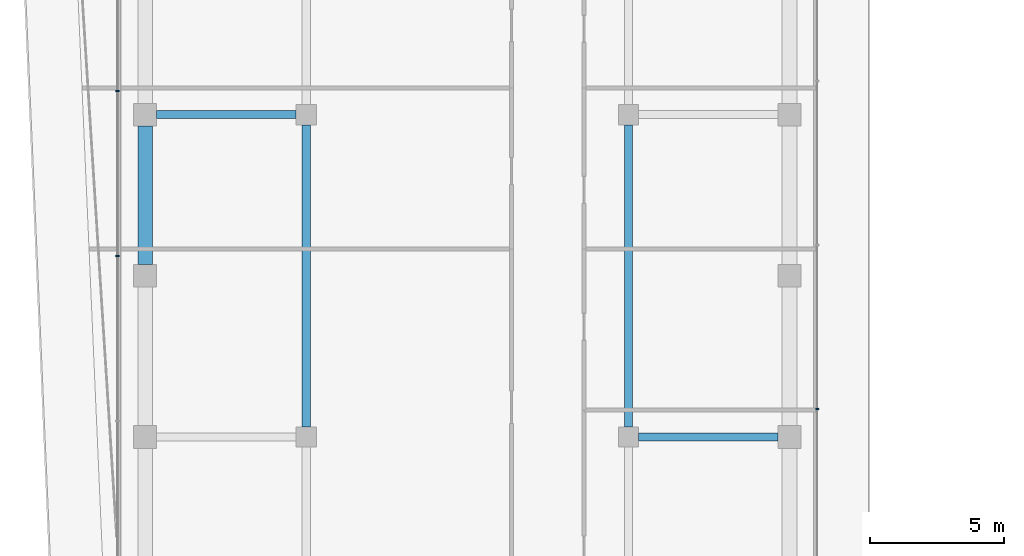
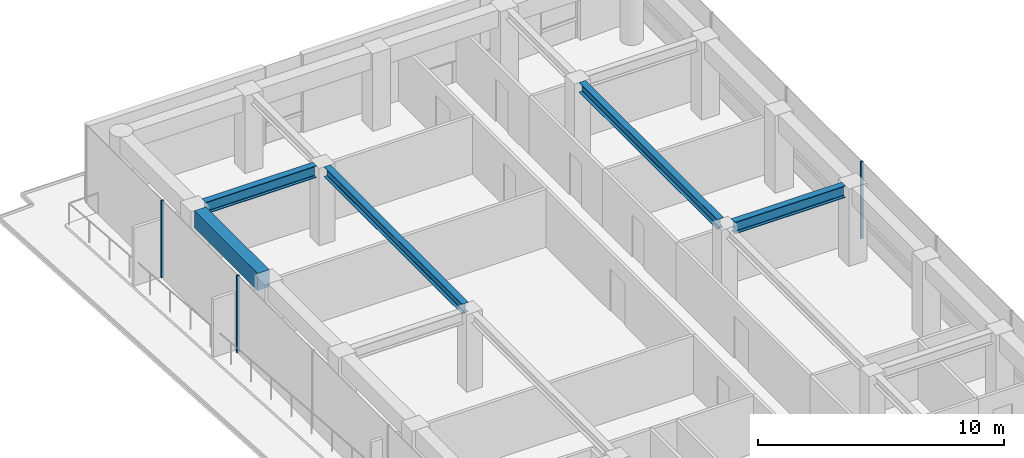
# One storey, part 13 of 21: 5 beams, 3 members, 2 elements without a shape of their own.
"""IFC4 building model written with IfcOpenShell, lengths in metres."""

from ifc_helpers import new_model, si_unit, direction, frame, origin, origin_2d, place, context, subcontext, project, spatial, rectangle, i_section, extrude, material, layer, layer_set, material_profile, profile_set, type_object, element, aggregate, save


model = new_model("IFC4")

# Units and contexts
model_context = context("Model", 3, precision=1e-05, world=origin(), true_north=direction((0.0, 1.0)))
body_context = subcontext(model_context, "Body", "Model", "MODEL_VIEW")
ifc_project = project(units=[si_unit("LENGTHUNIT", "METRE"), si_unit("AREAUNIT", "SQUARE_METRE"), si_unit("VOLUMEUNIT", "CUBIC_METRE"), si_unit("PLANEANGLEUNIT", "RADIAN"), si_unit("MASSUNIT", "GRAM", prefix="KILO")], contexts=[model_context])

# Site, building, storey
site_placement = place(None, origin())
site = spatial("IfcSite", under=ifc_project, at=site_placement, CompositionType="ELEMENT")
building_placement = place(site_placement, origin())
building = spatial("IfcBuilding", under=site, at=building_placement, Name="Welwitschia Terrace Campus", CompositionType="ELEMENT")
storey_placement = place(building_placement, frame((0.0, 0.0, 180.199951171875)))
storey = spatial("IfcBuildingStorey", under=building, at=storey_placement, Name="L40", CompositionType="ELEMENT", Elevation=180.199951171875)

# Beams
ifc_material_1 = material(Name="Steel S355", Category="steel")
ifc_material_profile_1 = material_profile(ifc_material_1, i_section(OverallWidth=0.300048828125, OverallDepth=0.489990234375, WebThickness=0.011962890625, FlangeThickness=0.02294921875, FilletRadius=0.027099609375, at=origin_2d()))
ifc_profile_set_1 = profile_set([ifc_material_profile_1], Name="Steel S355")
beam_type_1 = type_object("IfcBeamType", Name="Interior girder HE 500 A", PredefinedType="BEAM", material=ifc_profile_set_1)
for number, where, z_axis, x_axis, name in (
    (1, (6.0, 44.37548828125, 3.60498046875), (0.0, 1.0, 0.0), (-1.0, 0.0, 0.0), "Girder GB4"),
    (2, (18.0, 44.37548828125, 3.60498046875), (0.0, 1.0, 0.0), (-1.0, 0.0, 0.0), "Girder GB4"),
):
    element("IfcBeam", number, at=place(storey_placement, frame(where, z_axis=z_axis, x_axis=x_axis)), inside=storey, type_object=beam_type_1, Name=name, PredefinedType="BEAM", context=body_context, shape_type="SweptSolid", body=[
        extrude(i_section(OverallWidth=0.300048828125, OverallDepth=0.489990234375, WebThickness=0.011962890625, FlangeThickness=0.02294921875, FilletRadius=0.027099609375, at=origin_2d()), origin(), (0.0, 0.0, 1.0), 11.2490234375),
    ])

# Curtain wall, member
ifc_material_2 = material(Name="Bronze anodised aluminium", Category="aluminium")
ifc_layer = layer(ifc_material_2, 0.1201171875)
ifc_layer_set = layer_set([ifc_layer], Name="Bronze anodised aluminium")
curtain_wall_type = type_object("IfcCurtainWallType", Name="Curtain wall CW2 tower 6000", PredefinedType="NOTDEFINED", material=ifc_layer_set)
curtain_wall_1_placement = place(storey_placement, origin())
curtain_wall_1 = element("IfcCurtainWall", 3, at=curtain_wall_1_placement, inside=storey, type_object=curtain_wall_type, Name="CW L40.7.0", PredefinedType="NOTDEFINED")
ifc_material_3 = material(Name="Bronze anodised aluminium", Category="aluminium")
ifc_material_profile_2 = material_profile(ifc_material_3, rectangle(XDim=0.1201171875, YDim=0.06005859375, at=origin_2d()))
ifc_profile_set_2 = profile_set([ifc_material_profile_2], Name="Bronze anodised aluminium")
member_type = type_object("IfcMemberType", Name="Mullion 60x120", PredefinedType="MULLION", material=ifc_profile_set_2)
member_1_placement = place(storey_placement, frame((25.030029296875, 45.040771484375, 0.0), z_axis=(0.0, 0.0, 1.0), x_axis=(-1.0, 0.0, 0.0)))
member_1 = element("IfcMember", 4, at=member_1_placement, type_object=member_type, Name="Mullion L40.7.0.3", PredefinedType="MULLION", context=body_context, shape_type="SweptSolid", body=[
    extrude(rectangle(XDim=0.1201171875, YDim=0.06005859375, at=origin_2d()), origin(), (0.0, 0.0, 1.0), 3.85009765625),
])
aggregate(curtain_wall_1, [member_1])

# Curtain wall, members
curtain_wall_2_placement = place(storey_placement, origin())
curtain_wall_2 = element("IfcCurtainWall", 5, at=curtain_wall_2_placement, inside=storey, type_object=curtain_wall_type, Name="CW L40.10.0", PredefinedType="NOTDEFINED")
member_2_placement = place(storey_placement, frame((-1.030029296875, 56.88427734375, 0.0), z_axis=(0.0, 0.0, 1.0), x_axis=(1.0, 0.0, 0.0)))
member_2 = element("IfcMember", 6, at=member_2_placement, type_object=member_type, Name="Mullion L40.10.0.1", PredefinedType="MULLION", context=body_context, shape_type="SweptSolid", body=[
    extrude(rectangle(XDim=0.1201171875, YDim=0.06005859375, at=origin_2d()), origin(), (0.0, 0.0, 1.0), 3.85009765625),
])
member_3_placement = place(storey_placement, frame((-1.030029296875, 50.73876953125, 0.0), z_axis=(0.0, 0.0, 1.0), x_axis=(1.0, 0.0, 0.0)))
member_3 = element("IfcMember", 7, at=member_3_placement, type_object=member_type, Name="Mullion L40.10.0.2", PredefinedType="MULLION", context=body_context, shape_type="SweptSolid", body=[
    extrude(rectangle(XDim=0.1201171875, YDim=0.06005859375, at=origin_2d()), origin(), (0.0, 0.0, 1.0), 3.85009765625),
])
aggregate(curtain_wall_2, [member_2, member_3])

# Beams
ifc_material_4 = material(Name="Steel S355", Category="steel")
ifc_material_profile_3 = material_profile(ifc_material_4, i_section(OverallWidth=0.300048828125, OverallDepth=0.590087890625, WebThickness=0.012939453125, FlangeThickness=0.02490234375, FilletRadius=0.027099609375, at=origin_2d()))
ifc_profile_set_3 = profile_set([ifc_material_profile_3], Name="Steel S355")
beam_type_2 = type_object("IfcBeamType", Name="Primary beam HE 600 A", PredefinedType="BEAM", material=ifc_profile_set_3)
for number, where, z_axis, x_axis, name in (
    (8, (23.574462890625, 44.0, 3.554931640625), (-1.0, 0.0, 0.0), (0.0, -1.0, 0.0), "Primary beam PB4"),
    (9, (0.425537109375, 56.0, 3.554931640625), (1.0, 0.0, 0.0), (0.0, 1.0, 0.0), "Primary beam PB4"),
):
    element("IfcBeam", number, at=place(storey_placement, frame(where, z_axis=z_axis, x_axis=x_axis)), inside=storey, type_object=beam_type_2, Name=name, PredefinedType="BEAM", context=body_context, shape_type="SweptSolid", body=[
        extrude(i_section(OverallWidth=0.300048828125, OverallDepth=0.590087890625, WebThickness=0.012939453125, FlangeThickness=0.02490234375, FilletRadius=0.027099609375, at=origin_2d()), origin(), (0.0, 0.0, 1.0), 5.198974609375),
    ])
ifc_material_5 = material(Name="Concrete C50/60", Category="concrete")
ifc_material_profile_4 = material_profile(ifc_material_5, rectangle(XDim=0.550048828125, YDim=0.85009765625, at=origin_2d()))
ifc_profile_set_4 = profile_set([ifc_material_profile_4], Name="Concrete C50/60")
beam_type_3 = type_object("IfcBeamType", Name="Ring spandrel 550x850", PredefinedType="SPANDREL", material=ifc_profile_set_4)
beam_placement = place(storey_placement, frame((0.0, 55.574462890625, 3.425048828125), z_axis=(0.0, -1.0, 0.0), x_axis=(1.0, 0.0, 0.0)))
element("IfcBeam", 10, at=beam_placement, inside=storey, type_object=beam_type_3, Name="Spandrel SP3", PredefinedType="SPANDREL", context=body_context, shape_type="SweptSolid", body=[
    extrude(rectangle(XDim=0.550048828125, YDim=0.85009765625, at=origin_2d()), origin(), (0.0, 0.0, 1.0), 5.14892578125),
])

save(model, "model.ifc")
